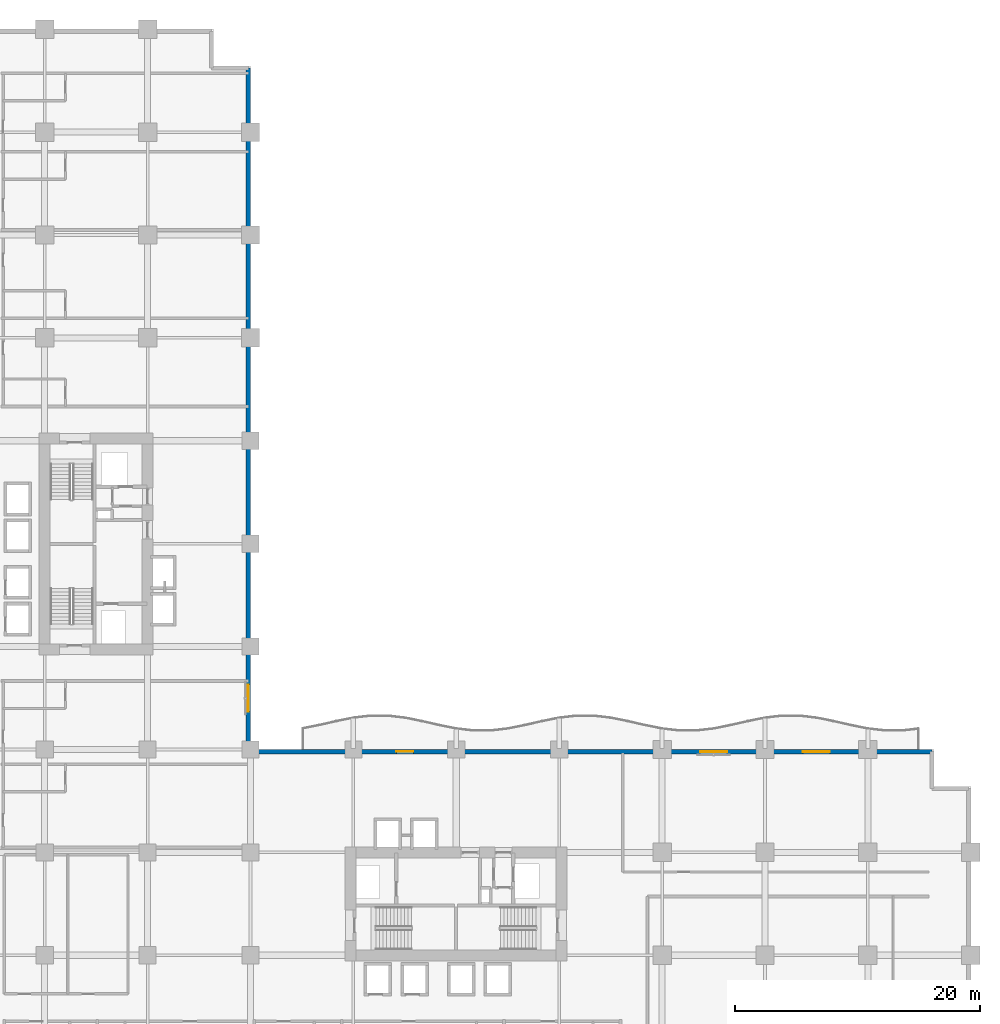
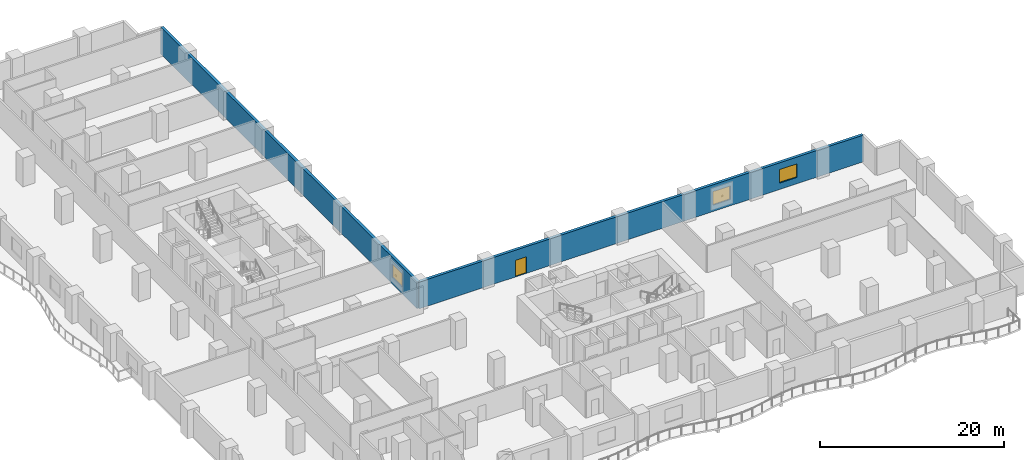
# One storey, part 10 of 20: 3 windows, 2 walls, 1 door, 4 openings.
"""IFC4 building model written with IfcOpenShell, lengths in metres."""

from ifc_helpers import new_model, si_unit, direction, frame, frame_2d, origin, place, context, subcontext, project, spatial, rectangle, extrude, material, layer, layer_set, type_object, element, fill, save


model = new_model("IFC4")

# Units and contexts
model_context = context("Model", 3, precision=1e-05, world=origin(), true_north=direction((0.0, 1.0)))
body_context = subcontext(model_context, "Body", "Model", "MODEL_VIEW")
ifc_project = project(units=[si_unit("LENGTHUNIT", "METRE"), si_unit("AREAUNIT", "SQUARE_METRE"), si_unit("VOLUMEUNIT", "CUBIC_METRE"), si_unit("PLANEANGLEUNIT", "RADIAN"), si_unit("MASSUNIT", "GRAM", prefix="KILO")], contexts=[model_context])

# Site, building, storey
site_placement = place(None, origin())
site = spatial("IfcSite", under=ifc_project, at=site_placement, CompositionType="ELEMENT")
building_placement = place(site_placement, origin())
building = spatial("IfcBuilding", under=site, at=building_placement, Name="Koriwani Terraces Tower", CompositionType="ELEMENT")
storey_placement = place(building_placement, frame((0.0, 0.0, 58.60009765625)))
storey = spatial("IfcBuildingStorey", under=building, at=storey_placement, Name="L13", CompositionType="ELEMENT", Elevation=58.60009765625)

# Wall, opening, window
ifc_material_1 = material(Name="Concrete C50/60", Category="concrete")
ifc_layer = layer(ifc_material_1, 0.35009765625, Name="Concrete C50/60")
ifc_layer_set = layer_set([ifc_layer], Name="Concrete C50/60")
wall_type = type_object("IfcWallType", Name="WALL_EXT_BRUTALIST_350", PredefinedType="STANDARD", material=ifc_layer_set)
wall_1_placement = place(storey_placement, frame((33.425048828125, 89.22509765625, 0.0), z_axis=(0.0, 0.0, 1.0), x_axis=(0.0, -1.0, 0.0)))
wall_1 = element("IfcWall", 1, at=wall_1_placement, inside=storey, type_object=wall_type, Name="L13 Fair-Faced Brutalist Exterior Wall (NW_IN)", PredefinedType="STANDARD", context=body_context, shape_type="SweptSolid", body=[
    extrude(rectangle(XDim=55.800048828125, YDim=0.35009765625, at=frame_2d((27.89990234375, 0.0))), origin(), (0.0, 0.0, 1.0), 3.5498046875),
])
opening_1_placement = place(wall_1_placement, frame((50.324951171875, 0.0, 0.85009765625)))
opening_1 = element("IfcOpeningElement", 2, at=opening_1_placement, cuts=wall_1, Name="Opening W-01", PredefinedType="OPENING", context=body_context, shape_type="SweptSolid", body=[
    extrude(rectangle(XDim=2.199951171875, YDim=1.800048828125, at=frame_2d((1.10009765625, 0.89990234375))), frame((0.0, 0.18505859375, 0.0), z_axis=(0.0, -1.0, 0.0), x_axis=(1.0, 0.0, 0.0)), (0.0, 0.0, 1.0), 0.3701171875),
])
ifc_material_2 = material(Name="Tempered Laminated Low-E Glass", Category="glass")
window_type = type_object("IfcWindowType", Name="WIN_HOTEL_STD_2200X1800", PartitioningType="DOUBLE_PANEL_VERTICAL", PredefinedType="WINDOW", material=ifc_material_2)
window_1_placement = place(opening_1_placement, origin())
window_1 = element("IfcWindow", 3, at=window_1_placement, inside=storey, type_object=window_type, Name="L13 Exterior Window (NW_IN-2)", OverallHeight=1.800048828125, OverallWidth=2.199951171875, PartitioningType="SINGLE_PANEL", PredefinedType="WINDOW", context=body_context, shape_type="SweptSolid", body=[
    extrude(rectangle(XDim=2.199951171875, YDim=1.800048828125, at=frame_2d((1.10009765625, 0.89990234375))), frame((0.0, 0.030029296875, 0.0), z_axis=(0.0, -1.0, 0.0), x_axis=(1.0, 0.0, 0.0)), (0.0, 0.0, 1.0), 0.06005859375),
])
fill(opening_1, window_1)

# Wall, openings, door, windows
wall_2_placement = place(storey_placement, frame((33.425048828125, 33.425048828125, 0.0), z_axis=(0.0, 0.0, 1.0), x_axis=(1.0, 0.0, 0.0)))
wall_2 = element("IfcWall", 4, at=wall_2_placement, inside=storey, type_object=wall_type, Name="L13 Fair-Faced Brutalist Exterior Wall (NE)", PredefinedType="STANDARD", context=body_context, shape_type="SweptSolid", body=[
    extrude(rectangle(XDim=55.800048828125, YDim=0.35009765625, at=frame_2d((27.89990234375, 0.0))), origin(), (0.0, 0.0, 1.0), 3.5498046875),
])
opening_2_placement = place(wall_2_placement, frame((12.074951171875, 0.0, 0.0)))
opening_2 = element("IfcOpeningElement", 5, at=opening_2_placement, cuts=wall_2, Name="Opening D-09", PredefinedType="OPENING", context=body_context, shape_type="SweptSolid", body=[
    extrude(rectangle(XDim=1.39990234375, YDim=2.199951171875, at=frame_2d((0.699951171875, 1.10009765625))), frame((0.0, 0.18505859375, 0.0), z_axis=(0.0, -1.0, 0.0), x_axis=(1.0, 0.0, 0.0)), (0.0, 0.0, 1.0), 0.3701171875),
])
opening_3_placement = place(wall_2_placement, frame((36.875, 0.0, 0.85009765625)))
opening_3 = element("IfcOpeningElement", 6, at=opening_3_placement, cuts=wall_2, Name="Opening W-01", PredefinedType="OPENING", context=body_context, shape_type="SweptSolid", body=[
    extrude(rectangle(XDim=2.199951171875, YDim=1.800048828125, at=frame_2d((1.10009765625, 0.89990234375))), frame((0.0, 0.18505859375, 0.0), z_axis=(0.0, -1.0, 0.0), x_axis=(1.0, 0.0, 0.0)), (0.0, 0.0, 1.0), 0.3701171875),
])
opening_4_placement = place(wall_2_placement, frame((45.27490234375, 0.0, 0.85009765625)))
opening_4 = element("IfcOpeningElement", 7, at=opening_4_placement, cuts=wall_2, Name="Opening W-01", PredefinedType="OPENING", context=body_context, shape_type="SweptSolid", body=[
    extrude(rectangle(XDim=2.199951171875, YDim=1.800048828125, at=frame_2d((1.10009765625, 0.89990234375))), frame((0.0, 0.18505859375, 0.0), z_axis=(0.0, -1.0, 0.0), x_axis=(1.0, 0.0, 0.0)), (0.0, 0.0, 1.0), 0.3701171875),
])
ifc_material_3 = material(Name="Anodised Bronze Aluminium", Category="aluminium")
door_type = type_object("IfcDoorType", Name="DOOR_BALCONY_GLAZED_1400X2200", OperationType="NOTDEFINED", PredefinedType="DOOR", material=ifc_material_3)
door_placement = place(opening_2_placement, origin())
door = element("IfcDoor", 8, at=door_placement, inside=storey, type_object=door_type, Name="L13 Inner Court Balcony Glazed Door", OperationType="SINGLE_SWING_LEFT", OverallHeight=2.199951171875, OverallWidth=1.39990234375, PredefinedType="DOOR", context=body_context, shape_type="SweptSolid", body=[
    extrude(rectangle(XDim=1.39990234375, YDim=2.199951171875, at=frame_2d((0.699951171875, 1.10009765625))), frame((0.0, 0.02490234375, 0.0), z_axis=(0.0, -1.0, 0.0), x_axis=(1.0, 0.0, 0.0)), (0.0, 0.0, 1.0), 0.050048828125),
])
fill(opening_2, door)
window_2_placement = place(opening_3_placement, origin())
window_2 = element("IfcWindow", 9, at=window_2_placement, inside=storey, type_object=window_type, Name="L13 Exterior Window (NE-14)", OverallHeight=1.800048828125, OverallWidth=2.199951171875, PartitioningType="SINGLE_PANEL", PredefinedType="WINDOW", context=body_context, shape_type="SweptSolid", body=[
    extrude(rectangle(XDim=2.199951171875, YDim=1.800048828125, at=frame_2d((1.10009765625, 0.89990234375))), frame((0.0, 0.030029296875, 0.0), z_axis=(0.0, -1.0, 0.0), x_axis=(1.0, 0.0, 0.0)), (0.0, 0.0, 1.0), 0.06005859375),
])
fill(opening_3, window_2)
window_3_placement = place(opening_4_placement, origin())
window_3 = element("IfcWindow", 10, at=window_3_placement, inside=storey, type_object=window_type, Name="L13 Exterior Window (NE-17)", OverallHeight=1.800048828125, OverallWidth=2.199951171875, PartitioningType="SINGLE_PANEL", PredefinedType="WINDOW", context=body_context, shape_type="SweptSolid", body=[
    extrude(rectangle(XDim=2.199951171875, YDim=1.800048828125, at=frame_2d((1.10009765625, 0.89990234375))), frame((0.0, 0.030029296875, 0.0), z_axis=(0.0, -1.0, 0.0), x_axis=(1.0, 0.0, 0.0)), (0.0, 0.0, 1.0), 0.06005859375),
])
fill(opening_4, window_3)

save(model, "model.ifc")
